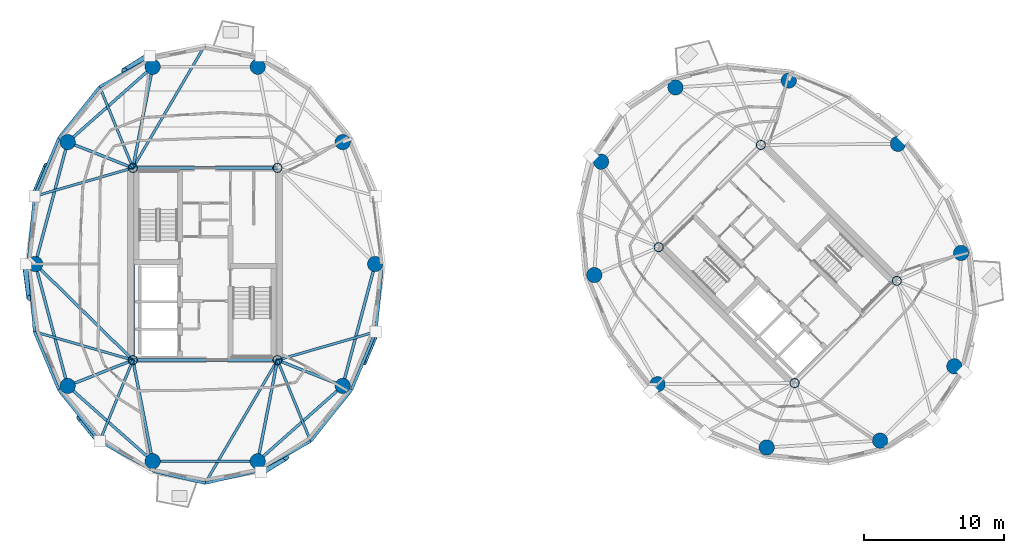
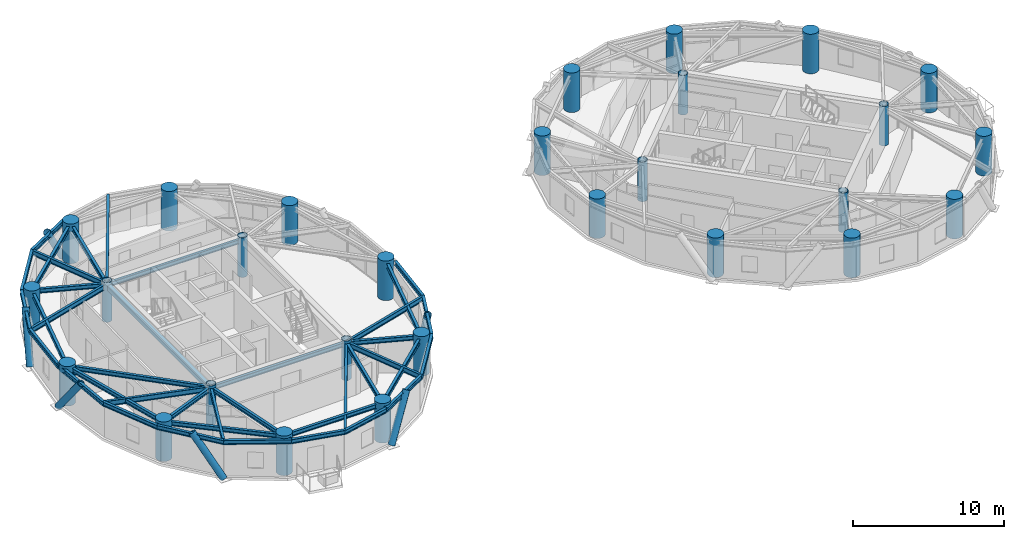
# One storey, part 1 of 16: 39 beams, 28 columns, 6 members.
"""IFC4 building model written with IfcOpenShell, lengths in metres."""

from ifc_helpers import new_model, si_unit, direction, frame, origin, origin_2d, place, context, subcontext, project, spatial, hollow_rectangle, circle, hollow_circle, i_section, extrude, material, material_profile, profile_set, type_object, element, save


model = new_model("IFC4")

# Units and contexts
model_context = context("Model", 3, precision=1e-05, world=origin(), true_north=direction((0.0, 1.0)))
body_context = subcontext(model_context, "Body", "Model", "MODEL_VIEW")
ifc_project = project(units=[si_unit("LENGTHUNIT", "METRE"), si_unit("AREAUNIT", "SQUARE_METRE"), si_unit("VOLUMEUNIT", "CUBIC_METRE"), si_unit("PLANEANGLEUNIT", "RADIAN"), si_unit("MASSUNIT", "GRAM", prefix="KILO")], contexts=[model_context])

# Site, building, storey
site_placement = place(None, origin())
site = spatial("IfcSite", under=ifc_project, at=site_placement, CompositionType="ELEMENT")
building_placement = place(site_placement, origin())
building = spatial("IfcBuilding", under=site, at=building_placement, Name="Cununo Teusaquillo Station Towers", CompositionType="ELEMENT")
storey_placement = place(building_placement, frame((0.0, 0.0, 226.050048828125)))
storey = spatial("IfcBuildingStorey", under=building, at=storey_placement, Name="L72", CompositionType="ELEMENT", Elevation=226.050048828125)

# Columns
ifc_material_1 = material(Name="Steel EN 10025-2 S355J2", Category="steel")
ifc_material_profile_1 = material_profile(ifc_material_1, hollow_circle(Radius=0.330078125, WallThickness=0.02490234375, at=origin_2d()), Name="CHS 660x25")
ifc_profile_set_1 = profile_set([ifc_material_profile_1], Name="Steel EN 10025-2 S355J2")
column_type_1 = type_object("IfcColumnType", Name="COL-CORE-Z3", PredefinedType="COLUMN", material=ifc_profile_set_1)
for number, where, z_axis, x_axis, name in (
    (1, (11.324951171875, 17.6201171875, 0.0), (0.0, 0.0, 1.0), (1.0, 0.0, 0.0), "L72 Tower A Core Column 1"),
    (2, (11.324951171875, 31.3798828125, 0.0), (0.0, 0.0, 1.0), (1.0, 0.0, 0.0), "L72 Tower A Core Column 2"),
    (3, (21.675048828125, 17.6201171875, 0.0), (0.0, 0.0, 1.0), (1.0, 0.0, 0.0), "L72 Tower A Core Column 3"),
    (4, (21.675048828125, 31.3798828125, 0.0), (0.0, 0.0, 1.0), (1.0, 0.0, 0.0), "L72 Tower A Core Column 4"),
    (5, (58.70556640625, 15.975830078125, 0.0), (0.0, 0.0, 1.0), (0.707106781187, 0.707106781187, 0.0), "L72 Tower B Core Column 1"),
    (6, (48.975830078125, 25.70556640625, 0.0), (0.0, 0.0, 1.0), (0.707106781187, 0.707106781187, 0.0), "L72 Tower B Core Column 2"),
    (7, (66.024169921875, 23.29443359375, 0.0), (0.0, 0.0, 1.0), (0.707106781187, 0.707106781187, 0.0), "L72 Tower B Core Column 3"),
    (8, (56.29443359375, 33.024169921875, 0.0), (0.0, 0.0, 1.0), (0.707106781187, 0.707106781187, 0.0), "L72 Tower B Core Column 4"),
):
    element("IfcColumn", number, at=place(storey_placement, frame(where, z_axis=z_axis, x_axis=x_axis)), inside=storey, type_object=column_type_1, Name=name, PredefinedType="COLUMN", context=body_context, shape_type="SweptSolid", body=[
        extrude(hollow_circle(Radius=0.330078125, WallThickness=0.02490234375, at=origin_2d()), origin(), (0.0, 0.0, 1.0), 3.199951171875),
    ])
ifc_material_2 = material(Name="Concrete C50/60", Category="concrete")
ifc_material_profile_2 = material_profile(ifc_material_2, circle(Radius=0.550048828125, at=origin_2d()), Name="RC-CIRC-1100")
ifc_profile_set_2 = profile_set([ifc_material_profile_2], Name="Concrete C50/60")
column_type_2 = type_object("IfcColumnType", Name="COL-MEGA-Z4", PredefinedType="USERDEFINED", material=ifc_profile_set_2)
for number, where, z_axis, x_axis, name in (
    (9, (28.672119140625, 24.5, 0.0), (0.0, 0.0, 1.0), (1.0, 0.0, 0.0), "L72 Tower A Perimeter Column V00"),
    (10, (26.347412109375, 33.228515625, 0.0), (0.0, 0.0, 1.0), (1.0, 0.0, 0.0), "L72 Tower A Perimeter Column V02"),
    (11, (20.261474609375, 38.623291015625, 0.0), (0.0, 0.0, 1.0), (1.0, 0.0, 0.0), "L72 Tower A Perimeter Column V04"),
    (12, (12.738525390625, 38.623291015625, 0.0), (0.0, 0.0, 1.0), (1.0, 0.0, 0.0), "L72 Tower A Perimeter Column V06"),
    (13, (6.652587890625, 33.228515625, 0.0), (0.0, 0.0, 1.0), (1.0, 0.0, 0.0), "L72 Tower A Perimeter Column V08"),
    (14, (4.327880859375, 24.5, 0.0), (0.0, 0.0, 1.0), (1.0, 0.0, 0.0), "L72 Tower A Perimeter Column V10"),
    (15, (6.652587890625, 15.771484375, 0.0), (0.0, 0.0, 1.0), (1.0, 0.0, 0.0), "L72 Tower A Perimeter Column V12"),
    (16, (12.738525390625, 10.376708984375, 0.0), (0.0, 0.0, 1.0), (1.0, 0.0, 0.0), "L72 Tower A Perimeter Column V14"),
    (17, (20.261474609375, 10.376708984375, 0.0), (0.0, 0.0, 1.0), (1.0, 0.0, 0.0), "L72 Tower A Perimeter Column V16"),
    (18, (26.347412109375, 15.771484375, 0.0), (0.0, 0.0, 1.0), (1.0, 0.0, 0.0), "L72 Tower A Perimeter Column V18"),
    (19, (66.10693359375, 33.10693359375, 0.0), (0.0, 0.0, 1.0), (1.0, 0.0, 0.0), "L72 Tower B Perimeter Column V00"),
    (20, (58.291015625, 37.63525390625, 0.0), (0.0, 0.0, 1.0), (1.0, 0.0, 0.0), "L72 Tower B Perimeter Column V02"),
    (21, (50.173095703125, 37.146240234375, 0.0), (0.0, 0.0, 1.0), (1.0, 0.0, 0.0), "L72 Tower B Perimeter Column V04"),
    (22, (44.853759765625, 31.826904296875, 0.0), (0.0, 0.0, 1.0), (1.0, 0.0, 0.0), "L72 Tower B Perimeter Column V06"),
    (23, (44.36474609375, 23.708984375, 0.0), (0.0, 0.0, 1.0), (1.0, 0.0, 0.0), "L72 Tower B Perimeter Column V08"),
    (24, (48.89306640625, 15.89306640625, 0.0), (0.0, 0.0, 1.0), (1.0, 0.0, 0.0), "L72 Tower B Perimeter Column V10"),
    (25, (56.708984375, 11.36474609375, 0.0), (0.0, 0.0, 1.0), (1.0, 0.0, 0.0), "L72 Tower B Perimeter Column V12"),
    (26, (64.826904296875, 11.853759765625, 0.0), (0.0, 0.0, 1.0), (1.0, 0.0, 0.0), "L72 Tower B Perimeter Column V14"),
    (27, (70.146240234375, 17.173095703125, 0.0), (0.0, 0.0, 1.0), (1.0, 0.0, 0.0), "L72 Tower B Perimeter Column V16"),
    (28, (70.63525390625, 25.291015625, 0.0), (0.0, 0.0, 1.0), (1.0, 0.0, 0.0), "L72 Tower B Perimeter Column V18"),
):
    element("IfcColumn", number, at=place(storey_placement, frame(where, z_axis=z_axis, x_axis=x_axis)), inside=storey, type_object=column_type_2, Name=name, ObjectType="MEGA COLUMN", PredefinedType="USERDEFINED", context=body_context, shape_type="SweptSolid", body=[
        extrude(circle(Radius=0.550048828125, at=origin_2d()), origin(), (0.0, 0.0, 1.0), 3.199951171875),
    ])

# Beams
ifc_material_3 = material(Name="Steel EN 10025-2 S355J2", Category="steel")
ifc_material_profile_3 = material_profile(ifc_material_3, hollow_rectangle(XDim=0.25, YDim=0.449951171875, WallThickness=0.01611328125, at=origin_2d()), Name="RHS 450x250x16")
ifc_profile_set_3 = profile_set([ifc_material_profile_3], Name="Steel EN 10025-2 S355J2")
beam_type_1 = type_object("IfcBeamType", Name="BM-COUP-1", PredefinedType="USERDEFINED", material=ifc_profile_set_3)
beam_1_placement = place(storey_placement, frame((11.324951171875, 17.6201171875, 2.764892578125), z_axis=(0.0, 1.0, 0.0), x_axis=(-1.0, 0.0, 0.0)))
element("IfcBeam", 29, at=beam_1_placement, inside=storey, type_object=beam_type_1, Name="L72 Tower A Core Beam 1", ObjectType="COUPLING BEAM", PredefinedType="USERDEFINED", context=body_context, shape_type="SweptSolid", body=[
    extrude(hollow_rectangle(XDim=0.25, YDim=0.449951171875, WallThickness=0.01611328125, at=origin_2d()), origin(), (0.0, 0.0, 1.0), 13.759765625),
])
ifc_material_4 = material(Name="Steel ASTM A572 Grade 50", Category="steel")
ifc_material_profile_4 = material_profile(ifc_material_4, i_section(OverallWidth=0.180908203125, OverallDepth=0.4169921875, WebThickness=0.010986328125, FlangeThickness=0.018310546875, FilletRadius=0.012939453125, at=origin_2d()), Name="W16X57")
ifc_profile_set_4 = profile_set([ifc_material_profile_4], Name="Steel ASTM A572 Grade 50")
beam_type_2 = type_object("IfcBeamType", Name="BM-JOIST-1", PredefinedType="JOIST", material=ifc_profile_set_4)
beam_2_placement = place(storey_placement, frame((11.324951171875, 31.3798828125, 2.781494140625), z_axis=(0.506486432091, 0.862247930765, 0.0), x_axis=(-0.862247930765, 0.506486432091, 0.0)))
element("IfcBeam", 30, at=beam_2_placement, inside=storey, type_object=beam_type_2, Name="L72 Tower A Radial Spandrel Joist V05", PredefinedType="JOIST", context=body_context, shape_type="SweptSolid", body=[
    extrude(i_section(OverallWidth=0.180908203125, OverallDepth=0.4169921875, WebThickness=0.010986328125, FlangeThickness=0.018310546875, FilletRadius=0.012939453125, at=origin_2d()), origin(), (0.0, 0.0, 1.0), 10.217529296875),
])
beam_3_placement = place(storey_placement, frame((11.324951171875, 31.3798828125, 2.781494140625), z_axis=(-0.378576847217, 0.925569862707, 0.0), x_axis=(-0.925569862707, -0.378576847217, 0.0)))
element("IfcBeam", 31, at=beam_3_placement, inside=storey, type_object=beam_type_2, Name="L72 Tower A Radial Spandrel Joist V07", PredefinedType="JOIST", context=body_context, shape_type="SweptSolid", body=[
    extrude(i_section(OverallWidth=0.180908203125, OverallDepth=0.4169921875, WebThickness=0.010986328125, FlangeThickness=0.018310546875, FilletRadius=0.012939453125, at=origin_2d()), origin(), (0.0, 0.0, 1.0), 6.28125),
])
for number, where, z_axis, x_axis, name in (
    (32, (11.324951171875, 31.3798828125, 2.781494140625), (-0.960861603375, -0.277028841748, 0.0), (0.277028841748, -0.960861603375, 0.0), "L72 Tower A Radial Spandrel Joist V09"),
    (33, (11.324951171875, 17.6201171875, 2.781494140625), (-0.960861603375, 0.277028841748, 0.0), (-0.277028841748, -0.960861603375, 0.0), "L72 Tower A Radial Spandrel Joist V11"),
):
    element("IfcBeam", number, at=place(storey_placement, frame(where, z_axis=z_axis, x_axis=x_axis)), inside=storey, type_object=beam_type_2, Name=name, PredefinedType="JOIST", context=body_context, shape_type="SweptSolid", body=[
        extrude(i_section(OverallWidth=0.180908203125, OverallDepth=0.4169921875, WebThickness=0.010986328125, FlangeThickness=0.018310546875, FilletRadius=0.012939453125, at=origin_2d()), origin(), (0.0, 0.0, 1.0), 7.333251953125),
    ])
beam_4_placement = place(storey_placement, frame((11.324951171875, 17.6201171875, 2.781494140625), z_axis=(-0.378576847217, -0.925569862707, 0.0), x_axis=(0.925569862707, -0.378576847217, 0.0)))
element("IfcBeam", 34, at=beam_4_placement, inside=storey, type_object=beam_type_2, Name="L72 Tower A Radial Spandrel Joist V13", PredefinedType="JOIST", context=body_context, shape_type="SweptSolid", body=[
    extrude(i_section(OverallWidth=0.180908203125, OverallDepth=0.4169921875, WebThickness=0.010986328125, FlangeThickness=0.018310546875, FilletRadius=0.012939453125, at=origin_2d()), origin(), (0.0, 0.0, 1.0), 6.28125),
])
beam_5_placement = place(storey_placement, frame((21.675048828125, 17.6201171875, 2.781494140625), z_axis=(-0.506486432091, -0.862247930765, 0.0), x_axis=(0.862247930765, -0.506486432091, 0.0)))
element("IfcBeam", 35, at=beam_5_placement, inside=storey, type_object=beam_type_2, Name="L72 Tower A Radial Spandrel Joist V15", PredefinedType="JOIST", context=body_context, shape_type="SweptSolid", body=[
    extrude(i_section(OverallWidth=0.180908203125, OverallDepth=0.4169921875, WebThickness=0.010986328125, FlangeThickness=0.018310546875, FilletRadius=0.012939453125, at=origin_2d()), origin(), (0.0, 0.0, 1.0), 10.217529296875),
])
beam_6_placement = place(storey_placement, frame((21.675048828125, 17.6201171875, 2.781494140625), z_axis=(0.378576847217, -0.925569862707, 0.0), x_axis=(0.925569862707, 0.378576847217, 0.0)))
element("IfcBeam", 36, at=beam_6_placement, inside=storey, type_object=beam_type_2, Name="L72 Tower A Radial Spandrel Joist V17", PredefinedType="JOIST", context=body_context, shape_type="SweptSolid", body=[
    extrude(i_section(OverallWidth=0.180908203125, OverallDepth=0.4169921875, WebThickness=0.010986328125, FlangeThickness=0.018310546875, FilletRadius=0.012939453125, at=origin_2d()), origin(), (0.0, 0.0, 1.0), 6.28125),
])
beam_7_placement = place(storey_placement, frame((21.675048828125, 17.6201171875, 2.781494140625), z_axis=(0.960861603375, 0.277028841748, 0.0), x_axis=(-0.277028841748, 0.960861603375, 0.0)))
element("IfcBeam", 37, at=beam_7_placement, inside=storey, type_object=beam_type_2, Name="L72 Tower A Radial Spandrel Joist V19", PredefinedType="JOIST", context=body_context, shape_type="SweptSolid", body=[
    extrude(i_section(OverallWidth=0.180908203125, OverallDepth=0.4169921875, WebThickness=0.010986328125, FlangeThickness=0.018310546875, FilletRadius=0.012939453125, at=origin_2d()), origin(), (0.0, 0.0, 1.0), 7.333251953125),
])
ifc_material_5 = material(Name="Steel ASTM A572 Grade 50", Category="steel")
ifc_material_profile_5 = material_profile(ifc_material_5, i_section(OverallWidth=0.2041015625, OverallDepth=0.35009765625, WebThickness=0.008544921875, FlangeThickness=0.01513671875, FilletRadius=0.011962890625, at=origin_2d()), Name="W14X48")
ifc_profile_set_5 = profile_set([ifc_material_profile_5], Name="Steel ASTM A572 Grade 50")
beam_type_3 = type_object("IfcBeamType", Name="BM-LINTEL-1", PredefinedType="LINTEL", material=ifc_profile_set_5)
for number, where, z_axis, x_axis, name in (
    (38, (11.324951171875, 17.6201171875, 2.81494140625), (1.0, 0.0, 0.0), (0.0, 1.0, 0.0), "L72 Tower A Core Beam 3"),
    (39, (11.324951171875, 31.3798828125, 2.81494140625), (1.0, 0.0, 0.0), (0.0, 1.0, 0.0), "L72 Tower A Core Beam 4"),
):
    element("IfcBeam", number, at=place(storey_placement, frame(where, z_axis=z_axis, x_axis=x_axis)), inside=storey, type_object=beam_type_3, Name=name, PredefinedType="LINTEL", context=body_context, shape_type="SweptSolid", body=[
        extrude(i_section(OverallWidth=0.2041015625, OverallDepth=0.35009765625, WebThickness=0.008544921875, FlangeThickness=0.01513671875, FilletRadius=0.011962890625, at=origin_2d()), origin(), (0.0, 0.0, 1.0), 10.35009765625),
    ])
ifc_material_6 = material(Name="Steel ASTM A572 Grade 50", Category="steel")
ifc_material_profile_6 = material_profile(ifc_material_6, i_section(OverallWidth=0.2041015625, OverallDepth=0.35009765625, WebThickness=0.008544921875, FlangeThickness=0.01513671875, FilletRadius=0.011962890625, at=origin_2d()), Name="W14X48")
ifc_profile_set_6 = profile_set([ifc_material_profile_6], Name="Steel ASTM A572 Grade 50")
beam_type_4 = type_object("IfcBeamType", Name="BM-RAD-G3", PredefinedType="BEAM", material=ifc_profile_set_6)
beam_8_placement = place(storey_placement, frame((11.324951171875, 31.3798828125, 2.81494140625), z_axis=(0.191548487699, 0.981483151593, 0.0), x_axis=(-0.981483151593, 0.191548487699, 0.0)))
element("IfcBeam", 40, at=beam_8_placement, inside=storey, type_object=beam_type_4, Name="L72 Tower A Continuous Overhanging Radial Girder 04", PredefinedType="BEAM", context=body_context, shape_type="SweptSolid", body=[
    extrude(i_section(OverallWidth=0.2041015625, OverallDepth=0.35009765625, WebThickness=0.008544921875, FlangeThickness=0.01513671875, FilletRadius=0.011962890625, at=origin_2d()), origin(), (0.0, 0.0, 1.0), 8.1240234375),
])
beam_9_placement = place(storey_placement, frame((11.324951171875, 31.3798828125, 2.81494140625), z_axis=(-0.929851670487, 0.36793460138, 0.0), x_axis=(-0.36793460138, -0.929851670487, 0.0)))
element("IfcBeam", 41, at=beam_9_placement, inside=storey, type_object=beam_type_4, Name="L72 Tower A Continuous Overhanging Radial Girder 05", PredefinedType="BEAM", context=body_context, shape_type="SweptSolid", body=[
    extrude(i_section(OverallWidth=0.2041015625, OverallDepth=0.35009765625, WebThickness=0.008544921875, FlangeThickness=0.01513671875, FilletRadius=0.011962890625, at=origin_2d()), origin(), (0.0, 0.0, 1.0), 5.71630859375),
])
beam_10_placement = place(storey_placement, frame((11.324951171875, 17.6201171875, 2.81494140625), z_axis=(-0.713052701438, 0.701110437073, 0.0), x_axis=(-0.701110437073, -0.713052701438, 0.0)))
element("IfcBeam", 42, at=beam_10_placement, inside=storey, type_object=beam_type_4, Name="L72 Tower A Radial Girder 06A", PredefinedType="BEAM", context=body_context, shape_type="SweptSolid", body=[
    extrude(i_section(OverallWidth=0.2041015625, OverallDepth=0.35009765625, WebThickness=0.008544921875, FlangeThickness=0.01513671875, FilletRadius=0.011962890625, at=origin_2d()), origin(), (0.0, 0.0, 1.0), 9.812744140625),
])
beam_11_placement = place(storey_placement, frame((11.324951171875, 17.6201171875, 2.81494140625), z_axis=(-0.929851670487, -0.36793460138, 0.0), x_axis=(0.36793460138, -0.929851670487, 0.0)))
element("IfcBeam", 43, at=beam_11_placement, inside=storey, type_object=beam_type_4, Name="L72 Tower A Continuous Overhanging Radial Girder 07", PredefinedType="BEAM", context=body_context, shape_type="SweptSolid", body=[
    extrude(i_section(OverallWidth=0.2041015625, OverallDepth=0.35009765625, WebThickness=0.008544921875, FlangeThickness=0.01513671875, FilletRadius=0.011962890625, at=origin_2d()), origin(), (0.0, 0.0, 1.0), 5.71630859375),
])
for number, where, z_axis, x_axis, name in (
    (44, (11.324951171875, 17.6201171875, 2.81494140625), (0.191548487699, -0.981483151593, 0.0), (0.981483151593, 0.191548487699, 0.0), "L72 Tower A Continuous Overhanging Radial Girder 08"),
    (45, (21.675048828125, 17.6201171875, 2.81494140625), (-0.191548487699, -0.981483151593, 0.0), (0.981483151593, -0.191548487699, 0.0), "L72 Tower A Continuous Overhanging Radial Girder 09"),
):
    element("IfcBeam", number, at=place(storey_placement, frame(where, z_axis=z_axis, x_axis=x_axis)), inside=storey, type_object=beam_type_4, Name=name, PredefinedType="BEAM", context=body_context, shape_type="SweptSolid", body=[
        extrude(i_section(OverallWidth=0.2041015625, OverallDepth=0.35009765625, WebThickness=0.008544921875, FlangeThickness=0.01513671875, FilletRadius=0.011962890625, at=origin_2d()), origin(), (0.0, 0.0, 1.0), 8.1240234375),
    ])
beam_12_placement = place(storey_placement, frame((21.675048828125, 17.6201171875, 2.81494140625), z_axis=(0.929851670487, -0.36793460138, 0.0), x_axis=(0.36793460138, 0.929851670487, 0.0)))
element("IfcBeam", 46, at=beam_12_placement, inside=storey, type_object=beam_type_4, Name="L72 Tower A Continuous Overhanging Radial Girder 10", PredefinedType="BEAM", context=body_context, shape_type="SweptSolid", body=[
    extrude(i_section(OverallWidth=0.2041015625, OverallDepth=0.35009765625, WebThickness=0.008544921875, FlangeThickness=0.01513671875, FilletRadius=0.011962890625, at=origin_2d()), origin(), (0.0, 0.0, 1.0), 5.71630859375),
])
ifc_material_7 = material(Name="Steel ASTM A572 Grade 50", Category="steel")
ifc_material_profile_7 = material_profile(ifc_material_7, i_section(OverallWidth=0.2041015625, OverallDepth=0.35009765625, WebThickness=0.008544921875, FlangeThickness=0.01513671875, FilletRadius=0.011962890625, at=origin_2d()), Name="W14X48")
ifc_profile_set_7 = profile_set([ifc_material_profile_7], Name="Steel ASTM A572 Grade 50")
beam_type_5 = type_object("IfcBeamType", Name="BM-RING-Z4", PredefinedType="SPANDREL", material=ifc_profile_set_7)
beam_13_placement = place(storey_placement, frame((12.738525390625, 38.623291015625, 2.81494140625), z_axis=(-0.74832120039, -0.66333655187, 0.0), x_axis=(0.66333655187, -0.74832120039, 0.0)))
element("IfcBeam", 47, at=beam_13_placement, inside=storey, type_object=beam_type_5, Name="L72 Tower A Structural Column Ring Girder 04", PredefinedType="SPANDREL", context=body_context, shape_type="SweptSolid", body=[
    extrude(i_section(OverallWidth=0.2041015625, OverallDepth=0.35009765625, WebThickness=0.008544921875, FlangeThickness=0.01513671875, FilletRadius=0.011962890625, at=origin_2d()), origin(), (0.0, 0.0, 1.0), 8.1328125),
])
for number, where, z_axis, x_axis, name in (
    (48, (6.652587890625, 33.228515625, 2.81494140625), (-0.257363196347, -0.966314744359, 0.0), (0.966314744359, -0.257363196347, 0.0), "L72 Tower A Structural Column Ring Girder 05"),
    (49, (4.327880859375, 24.5, 2.81494140625), (0.257363196347, -0.966314744359, 0.0), (0.966314744359, 0.257363196347, 0.0), "L72 Tower A Structural Column Ring Girder 06"),
):
    element("IfcBeam", number, at=place(storey_placement, frame(where, z_axis=z_axis, x_axis=x_axis)), inside=storey, type_object=beam_type_5, Name=name, PredefinedType="SPANDREL", context=body_context, shape_type="SweptSolid", body=[
        extrude(i_section(OverallWidth=0.2041015625, OverallDepth=0.35009765625, WebThickness=0.008544921875, FlangeThickness=0.01513671875, FilletRadius=0.011962890625, at=origin_2d()), origin(), (0.0, 0.0, 1.0), 9.03271484375),
    ])
beam_14_placement = place(storey_placement, frame((6.652587890625, 15.771484375, 2.81494140625), z_axis=(0.74832120039, -0.66333655187, 0.0), x_axis=(0.66333655187, 0.74832120039, 0.0)))
element("IfcBeam", 50, at=beam_14_placement, inside=storey, type_object=beam_type_5, Name="L72 Tower A Structural Column Ring Girder 07", PredefinedType="SPANDREL", context=body_context, shape_type="SweptSolid", body=[
    extrude(i_section(OverallWidth=0.2041015625, OverallDepth=0.35009765625, WebThickness=0.008544921875, FlangeThickness=0.01513671875, FilletRadius=0.011962890625, at=origin_2d()), origin(), (0.0, 0.0, 1.0), 8.1328125),
])
beam_15_placement = place(storey_placement, frame((12.738525390625, 10.376708984375, 2.81494140625), z_axis=(1.0, 0.0, 0.0), x_axis=(0.0, 1.0, 0.0)))
element("IfcBeam", 51, at=beam_15_placement, inside=storey, type_object=beam_type_5, Name="L72 Tower A Structural Column Ring Girder 08", PredefinedType="SPANDREL", context=body_context, shape_type="SweptSolid", body=[
    extrude(i_section(OverallWidth=0.2041015625, OverallDepth=0.35009765625, WebThickness=0.008544921875, FlangeThickness=0.01513671875, FilletRadius=0.011962890625, at=origin_2d()), origin(), (0.0, 0.0, 1.0), 7.52294921875),
])
beam_16_placement = place(storey_placement, frame((20.261474609375, 10.376708984375, 2.81494140625), z_axis=(0.74832120039, 0.66333655187, 0.0), x_axis=(-0.66333655187, 0.74832120039, 0.0)))
element("IfcBeam", 52, at=beam_16_placement, inside=storey, type_object=beam_type_5, Name="L72 Tower A Structural Column Ring Girder 09", PredefinedType="SPANDREL", context=body_context, shape_type="SweptSolid", body=[
    extrude(i_section(OverallWidth=0.2041015625, OverallDepth=0.35009765625, WebThickness=0.008544921875, FlangeThickness=0.01513671875, FilletRadius=0.011962890625, at=origin_2d()), origin(), (0.0, 0.0, 1.0), 8.1328125),
])
beam_17_placement = place(storey_placement, frame((26.347412109375, 15.771484375, 2.81494140625), z_axis=(0.257363196347, 0.966314744359, 0.0), x_axis=(-0.966314744359, 0.257363196347, 0.0)))
element("IfcBeam", 53, at=beam_17_placement, inside=storey, type_object=beam_type_5, Name="L72 Tower A Structural Column Ring Girder 10", PredefinedType="SPANDREL", context=body_context, shape_type="SweptSolid", body=[
    extrude(i_section(OverallWidth=0.2041015625, OverallDepth=0.35009765625, WebThickness=0.008544921875, FlangeThickness=0.01513671875, FilletRadius=0.011962890625, at=origin_2d()), origin(), (0.0, 0.0, 1.0), 9.03271484375),
])
beam_18_placement = place(storey_placement, frame((12.881103515625, 39.353515625, 2.81494140625), z_axis=(-0.876576300909, -0.481262910149, 0.0), x_axis=(0.481262910149, -0.876576300909, 0.0)))
element("IfcBeam", 54, at=beam_18_placement, inside=storey, type_object=beam_type_5, Name="L72 Tower A Spandrel Ring Beam 07", PredefinedType="SPANDREL", context=body_context, shape_type="SweptSolid", body=[
    extrude(i_section(OverallWidth=0.2041015625, OverallDepth=0.35009765625, WebThickness=0.008544921875, FlangeThickness=0.01513671875, FilletRadius=0.011962890625, at=origin_2d()), origin(), (0.0, 0.0, 1.0), 4.488037109375),
])
beam_19_placement = place(storey_placement, frame((8.947021484375, 37.193603515625, 2.81494140625), z_axis=(-0.620710872531, -0.784039547932, 0.0), x_axis=(0.784039547932, -0.620710872531, 0.0)))
element("IfcBeam", 55, at=beam_19_placement, inside=storey, type_object=beam_type_5, Name="L72 Tower A Spandrel Ring Beam 08", PredefinedType="SPANDREL", context=body_context, shape_type="SweptSolid", body=[
    extrude(i_section(OverallWidth=0.2041015625, OverallDepth=0.35009765625, WebThickness=0.008544921875, FlangeThickness=0.01513671875, FilletRadius=0.011962890625, at=origin_2d()), origin(), (0.0, 0.0, 1.0), 4.732421875),
])
beam_20_placement = place(storey_placement, frame((6.009521484375, 33.483154296875, 2.81494140625), z_axis=(-0.386115454066, -0.922450462698, 0.0), x_axis=(0.922450462698, -0.386115454066, 0.0)))
element("IfcBeam", 56, at=beam_20_placement, inside=storey, type_object=beam_type_5, Name="L72 Tower A Spandrel Ring Beam 09", PredefinedType="SPANDREL", context=body_context, shape_type="SweptSolid", body=[
    extrude(i_section(OverallWidth=0.2041015625, OverallDepth=0.35009765625, WebThickness=0.008544921875, FlangeThickness=0.01513671875, FilletRadius=0.011962890625, at=origin_2d()), origin(), (0.0, 0.0, 1.0), 4.482421875),
])
beam_21_placement = place(storey_placement, frame((4.27880859375, 29.348388671875, 2.81494140625), z_axis=(-0.093902932611, -0.995581357422, 0.0), x_axis=(0.995581357422, -0.093902932611, 0.0)))
element("IfcBeam", 57, at=beam_21_placement, inside=storey, type_object=beam_type_5, Name="L72 Tower A Spandrel Ring Beam 10", PredefinedType="SPANDREL", context=body_context, shape_type="SweptSolid", body=[
    extrude(i_section(OverallWidth=0.2041015625, OverallDepth=0.35009765625, WebThickness=0.008544921875, FlangeThickness=0.01513671875, FilletRadius=0.011962890625, at=origin_2d()), origin(), (0.0, 0.0, 1.0), 4.412109375),
])
beam_22_placement = place(storey_placement, frame((3.864501953125, 24.955810546875, 2.81494140625), z_axis=(0.077871988965, -0.996963366095, 0.0), x_axis=(0.996963366095, 0.077871988965, 0.0)))
element("IfcBeam", 58, at=beam_22_placement, inside=storey, type_object=beam_type_5, Name="L72 Tower A Spandrel Ring Beam 11", PredefinedType="SPANDREL", context=body_context, shape_type="SweptSolid", body=[
    extrude(i_section(OverallWidth=0.2041015625, OverallDepth=0.35009765625, WebThickness=0.008544921875, FlangeThickness=0.01513671875, FilletRadius=0.011962890625, at=origin_2d()), origin(), (0.0, 0.0, 1.0), 5.3203125),
])
beam_23_placement = place(storey_placement, frame((4.27880859375, 19.651611328125, 2.81494140625), z_axis=(0.386115454066, -0.922450462698, 0.0), x_axis=(0.922450462698, 0.386115454066, 0.0)))
element("IfcBeam", 59, at=beam_23_placement, inside=storey, type_object=beam_type_5, Name="L72 Tower A Spandrel Ring Beam 12", PredefinedType="SPANDREL", context=body_context, shape_type="SweptSolid", body=[
    extrude(i_section(OverallWidth=0.2041015625, OverallDepth=0.35009765625, WebThickness=0.008544921875, FlangeThickness=0.01513671875, FilletRadius=0.011962890625, at=origin_2d()), origin(), (0.0, 0.0, 1.0), 4.482421875),
])
beam_24_placement = place(storey_placement, frame((6.009521484375, 15.516845703125, 2.81494140625), z_axis=(0.620710872531, -0.784039547932, 0.0), x_axis=(0.784039547932, 0.620710872531, 0.0)))
element("IfcBeam", 60, at=beam_24_placement, inside=storey, type_object=beam_type_5, Name="L72 Tower A Spandrel Ring Beam 13", PredefinedType="SPANDREL", context=body_context, shape_type="SweptSolid", body=[
    extrude(i_section(OverallWidth=0.2041015625, OverallDepth=0.35009765625, WebThickness=0.008544921875, FlangeThickness=0.01513671875, FilletRadius=0.011962890625, at=origin_2d()), origin(), (0.0, 0.0, 1.0), 4.732421875),
])
beam_25_placement = place(storey_placement, frame((8.947021484375, 11.806396484375, 2.81494140625), z_axis=(0.876576300909, -0.481262910149, 0.0), x_axis=(0.481262910149, 0.876576300909, 0.0)))
element("IfcBeam", 61, at=beam_25_placement, inside=storey, type_object=beam_type_5, Name="L72 Tower A Spandrel Ring Beam 14", PredefinedType="SPANDREL", context=body_context, shape_type="SweptSolid", body=[
    extrude(i_section(OverallWidth=0.2041015625, OverallDepth=0.35009765625, WebThickness=0.008544921875, FlangeThickness=0.01513671875, FilletRadius=0.011962890625, at=origin_2d()), origin(), (0.0, 0.0, 1.0), 4.488037109375),
])
for number, where, z_axis, x_axis, name in (
    (62, (12.881103515625, 9.646484375, 2.81494140625), (0.97431470066, -0.225190728224, 0.0), (0.225190728224, 0.97431470066, 0.0), "L72 Tower A Spandrel Ring Beam 15"),
    (63, (16.5, 8.81005859375, 2.81494140625), (0.97431470066, 0.225190728224, 0.0), (-0.225190728224, 0.97431470066, 0.0), "L72 Tower A Spandrel Ring Beam 16"),
):
    element("IfcBeam", number, at=place(storey_placement, frame(where, z_axis=z_axis, x_axis=x_axis)), inside=storey, type_object=beam_type_5, Name=name, PredefinedType="SPANDREL", context=body_context, shape_type="SweptSolid", body=[
        extrude(i_section(OverallWidth=0.2041015625, OverallDepth=0.35009765625, WebThickness=0.008544921875, FlangeThickness=0.01513671875, FilletRadius=0.011962890625, at=origin_2d()), origin(), (0.0, 0.0, 1.0), 3.71435546875),
    ])
beam_26_placement = place(storey_placement, frame((20.118896484375, 9.646484375, 2.81494140625), z_axis=(0.876576300909, 0.481262910149, 0.0), x_axis=(-0.481262910149, 0.876576300909, 0.0)))
element("IfcBeam", 64, at=beam_26_placement, inside=storey, type_object=beam_type_5, Name="L72 Tower A Spandrel Ring Beam 17", PredefinedType="SPANDREL", context=body_context, shape_type="SweptSolid", body=[
    extrude(i_section(OverallWidth=0.2041015625, OverallDepth=0.35009765625, WebThickness=0.008544921875, FlangeThickness=0.01513671875, FilletRadius=0.011962890625, at=origin_2d()), origin(), (0.0, 0.0, 1.0), 4.488037109375),
])
beam_27_placement = place(storey_placement, frame((24.052978515625, 11.806396484375, 2.81494140625), z_axis=(0.620710872531, 0.784039547932, 0.0), x_axis=(-0.784039547932, 0.620710872531, 0.0)))
element("IfcBeam", 65, at=beam_27_placement, inside=storey, type_object=beam_type_5, Name="L72 Tower A Spandrel Ring Beam 18", PredefinedType="SPANDREL", context=body_context, shape_type="SweptSolid", body=[
    extrude(i_section(OverallWidth=0.2041015625, OverallDepth=0.35009765625, WebThickness=0.008544921875, FlangeThickness=0.01513671875, FilletRadius=0.011962890625, at=origin_2d()), origin(), (0.0, 0.0, 1.0), 4.732421875),
])
beam_28_placement = place(storey_placement, frame((26.990478515625, 15.516845703125, 2.81494140625), z_axis=(0.386115454066, 0.922450462698, 0.0), x_axis=(-0.922450462698, 0.386115454066, 0.0)))
element("IfcBeam", 66, at=beam_28_placement, inside=storey, type_object=beam_type_5, Name="L72 Tower A Spandrel Ring Beam 19", PredefinedType="SPANDREL", context=body_context, shape_type="SweptSolid", body=[
    extrude(i_section(OverallWidth=0.2041015625, OverallDepth=0.35009765625, WebThickness=0.008544921875, FlangeThickness=0.01513671875, FilletRadius=0.011962890625, at=origin_2d()), origin(), (0.0, 0.0, 1.0), 4.482421875),
])
beam_29_placement = place(storey_placement, frame((28.72119140625, 19.651611328125, 2.81494140625), z_axis=(0.093902932611, 0.995581357422, 0.0), x_axis=(-0.995581357422, 0.093902932611, 0.0)))
element("IfcBeam", 67, at=beam_29_placement, inside=storey, type_object=beam_type_5, Name="L72 Tower A Spandrel Ring Beam 20", PredefinedType="SPANDREL", context=body_context, shape_type="SweptSolid", body=[
    extrude(i_section(OverallWidth=0.2041015625, OverallDepth=0.35009765625, WebThickness=0.008544921875, FlangeThickness=0.01513671875, FilletRadius=0.011962890625, at=origin_2d()), origin(), (0.0, 0.0, 1.0), 4.412109375),
])

# Members
ifc_material_8 = material(Name="Steel EN 10025-2 S355J2", Category="steel")
ifc_material_profile_8 = material_profile(ifc_material_8, hollow_circle(Radius=0.25390625, WallThickness=0.01806640625, at=origin_2d()), Name="CHS 508x18")
ifc_profile_set_8 = profile_set([ifc_material_profile_8], Name="Steel EN 10025-2 S355J2")
member_type = type_object("IfcMemberType", Name="MBR-DIAG-Z4", PredefinedType="BRACE", material=ifc_profile_set_8)
member_1_placement = place(storey_placement, frame((12.529052734375, 39.422119140625, -0.14013671875), z_axis=(-0.467283274208, -0.290714403419, 0.834943996499), x_axis=(0.528249968439, -0.849088906325, 0.0)))
element("IfcMember", 68, at=member_1_placement, inside=storey, type_object=member_type, Name="L72 Tower A Folded-Zigzag Diagrid Tube C06", PredefinedType="BRACE", context=body_context, shape_type="SweptSolid", body=[
    extrude(hollow_circle(Radius=0.25390625, WallThickness=0.01806640625, at=origin_2d()), origin(), (0.0, 0.0, 1.0), 3.832763671875),
])
member_2_placement = place(storey_placement, frame((4.27880859375, 29.348388671875, -0.14013671875), z_axis=(0.229175085021, 0.549210918036, 0.803645536238), x_axis=(-0.922875628603, 0.385098135713, 0.0)))
element("IfcMember", 69, at=member_2_placement, inside=storey, type_object=member_type, Name="L72 Tower A Folded-Zigzag Diagrid Tube C08", PredefinedType="BRACE", context=body_context, shape_type="SweptSolid", body=[
    extrude(hollow_circle(Radius=0.25390625, WallThickness=0.01806640625, at=origin_2d()), origin(), (0.0, 0.0, 1.0), 3.982177734375),
])
member_3_placement = place(storey_placement, frame((3.64990234375, 24.5, -0.14013671875), z_axis=(0.078144740172, -0.601999433598, 0.794663502075), x_axis=(0.991679857004, 0.128728634006, 0.0)))
element("IfcMember", 70, at=member_3_placement, inside=storey, type_object=member_type, Name="L72 Tower A Folded-Zigzag Diagrid Tube C10", PredefinedType="BRACE", context=body_context, shape_type="SweptSolid", body=[
    extrude(hollow_circle(Radius=0.25390625, WallThickness=0.01806640625, at=origin_2d()), origin(), (0.0, 0.0, 1.0), 4.027099609375),
])
member_4_placement = place(storey_placement, frame((8.947021484375, 11.806396484375, -0.14013671875), z_axis=(-0.36374936945, 0.444082821127, 0.818826504337), x_axis=(-0.773608092629, -0.633664358331, 0.0)))
element("IfcMember", 71, at=member_4_placement, inside=storey, type_object=member_type, Name="L72 Tower A Folded-Zigzag Diagrid Tube C12", PredefinedType="BRACE", context=body_context, shape_type="SweptSolid", body=[
    extrude(hollow_circle(Radius=0.25390625, WallThickness=0.01806640625, at=origin_2d()), origin(), (0.0, 0.0, 1.0), 3.908203125),
])
member_5_placement = place(storey_placement, frame((20.470947265625, 9.577880859375, -0.14013671875), z_axis=(0.467283274208, 0.290714403419, 0.834943996499), x_axis=(-0.528249968439, 0.849088906325, 0.0)))
element("IfcMember", 72, at=member_5_placement, inside=storey, type_object=member_type, Name="L72 Tower A Folded-Zigzag Diagrid Tube C16", PredefinedType="BRACE", context=body_context, shape_type="SweptSolid", body=[
    extrude(hollow_circle(Radius=0.25390625, WallThickness=0.01806640625, at=origin_2d()), origin(), (0.0, 0.0, 1.0), 3.832763671875),
])
member_6_placement = place(storey_placement, frame((28.72119140625, 19.651611328125, -0.14013671875), z_axis=(-0.229175085021, -0.549210918036, 0.803645536238), x_axis=(0.922875628603, -0.385098135713, 0.0)))
element("IfcMember", 73, at=member_6_placement, inside=storey, type_object=member_type, Name="L72 Tower A Folded-Zigzag Diagrid Tube C18", PredefinedType="BRACE", context=body_context, shape_type="SweptSolid", body=[
    extrude(hollow_circle(Radius=0.25390625, WallThickness=0.01806640625, at=origin_2d()), origin(), (0.0, 0.0, 1.0), 3.982177734375),
])

save(model, "model.ifc")
